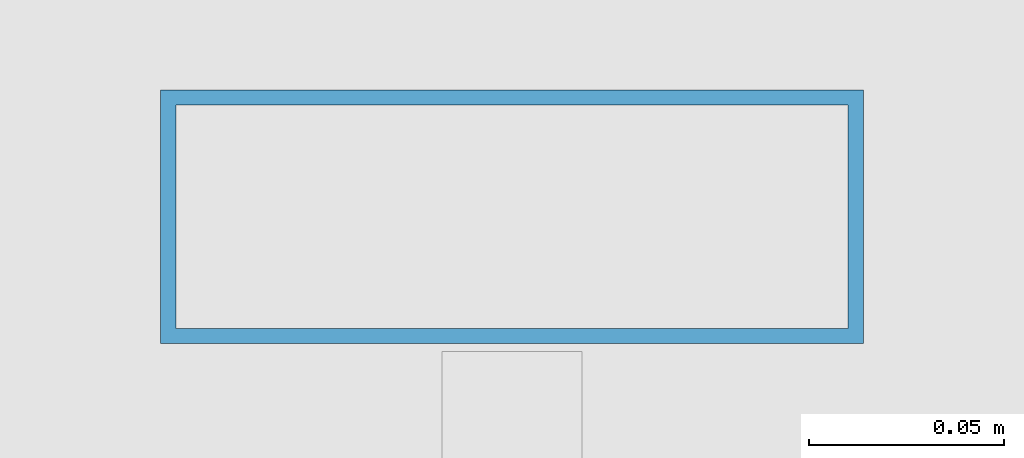
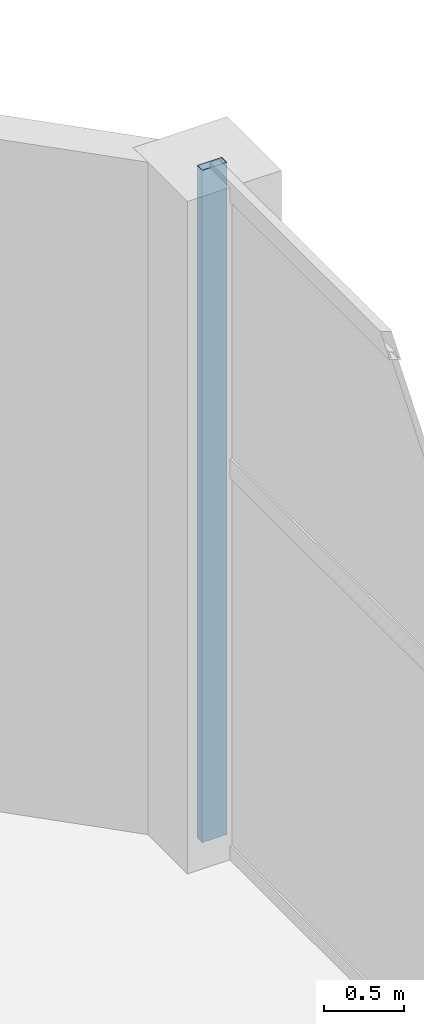
# One storey, part 31 of 53: 1 member, 1 element without a shape of its own.
"""IFC4 building model written with IfcOpenShell, lengths in metres."""

from ifc_helpers import new_model, si_unit, direction, frame, origin, origin_2d, place, context, subcontext, project, spatial, hollow_rectangle, extrude, material, material_profile, profile_set, type_object, element, aggregate, save


model = new_model("IFC4")

# Units and contexts
model_context = context("Model", 3, precision=1e-05, world=origin(), true_north=direction((0.0, 1.0)))
body_context = subcontext(model_context, "Body", "Model", "MODEL_VIEW")
ifc_project = project(units=[si_unit("LENGTHUNIT", "METRE"), si_unit("AREAUNIT", "SQUARE_METRE"), si_unit("VOLUMEUNIT", "CUBIC_METRE"), si_unit("PLANEANGLEUNIT", "RADIAN"), si_unit("MASSUNIT", "GRAM", prefix="KILO")], contexts=[model_context])

# Site, building, storey
site_placement = place(None, origin())
site = spatial("IfcSite", under=ifc_project, at=site_placement, CompositionType="ELEMENT")
building_placement = place(site_placement, origin())
building = spatial("IfcBuilding", under=site, at=building_placement, Name="Saevonmaru Cultural Tower", CompositionType="ELEMENT")
storey_placement = place(building_placement, frame((0.0, 0.0, 22.199951171875)))
storey = spatial("IfcBuildingStorey", under=building, at=storey_placement, Name="L04", CompositionType="ELEMENT", Elevation=22.199951171875)

# Curtain wall, member
ifc_material = material(Name="Satin Bronze Anodised Aluminium", Category="aluminium")
curtain_wall_type = type_object("IfcCurtainWallType", Name="CW-POD-GLZ", PredefinedType="NOTDEFINED", material=ifc_material)
curtain_wall_placement = place(storey_placement, origin())
curtain_wall = element("IfcCurtainWall", 1, at=curtain_wall_placement, inside=storey, type_object=curtain_wall_type, Name="L04 Saevon Plaza Curtain Wall", PredefinedType="NOTDEFINED")
ifc_material_profile = material_profile(ifc_material, hollow_rectangle(XDim=0.06494140625, YDim=0.179931640625, WallThickness=0.00390625, at=origin_2d()), Name="ALU-MULL-180x65x4")
ifc_profile_set = profile_set([ifc_material_profile], Name="Satin Bronze Anodised Aluminium")
member_type = type_object("IfcMemberType", Name="ML-CW-180x65", PredefinedType="MULLION", material=ifc_profile_set)
member_placement = place(storey_placement, frame((60.0, 52.739990234375, 0.0), z_axis=(0.0, 0.0, 1.0), x_axis=(0.0, 1.0, 0.0)))
member = element("IfcMember", 2, at=member_placement, type_object=member_type, Name="CW-POD-E-L04 mullion 6", PredefinedType="MULLION", context=body_context, shape_type="SweptSolid", body=[
    extrude(hollow_rectangle(XDim=0.06494140625, YDim=0.179931640625, WallThickness=0.00390625, at=origin_2d()), origin(), (0.0, 0.0, 1.0), 5.150146484375),
])
aggregate(curtain_wall, [member])

save(model, "model.ifc")
